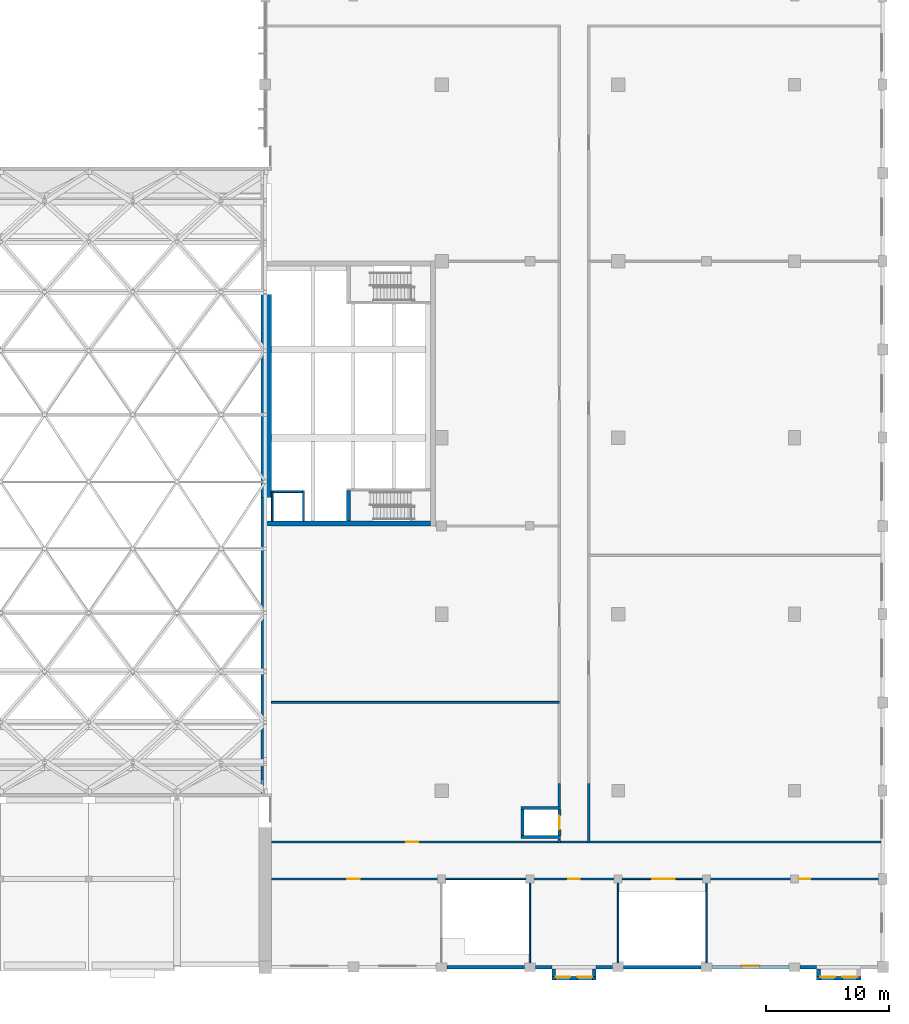
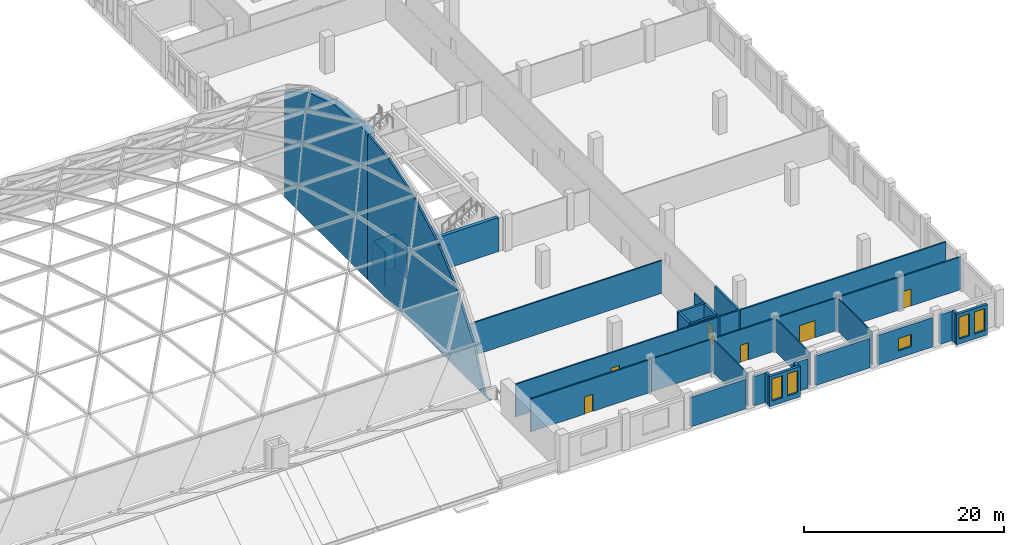
# One storey, part 34 of 52: 37 walls, 6 doors, 5 windows, 11 openings.
"""IFC4 building model written with IfcOpenShell, lengths in metres."""

from ifc_helpers import new_model, si_unit, direction, frame, frame_2d, origin, place, context, subcontext, project, spatial, polyline, rectangle, outline, extrude, material, layer, layer_set, type_object, element, fill, save


model = new_model("IFC4")

# Units and contexts
model_context = context("Model", 3, precision=1e-05, world=origin(), true_north=direction((0.0, 1.0)))
body_context = subcontext(model_context, "Body", "Model", "MODEL_VIEW")
ifc_project = project(units=[si_unit("LENGTHUNIT", "METRE"), si_unit("AREAUNIT", "SQUARE_METRE"), si_unit("VOLUMEUNIT", "CUBIC_METRE"), si_unit("PLANEANGLEUNIT", "RADIAN"), si_unit("MASSUNIT", "GRAM", prefix="KILO")], contexts=[model_context])

# Site, building, storey
site_placement = place(None, origin())
site = spatial("IfcSite", under=ifc_project, at=site_placement, CompositionType="ELEMENT")
building_placement = place(site_placement, origin())
building = spatial("IfcBuilding", under=site, at=building_placement, Name="Vermilion Court Aquatics Centre", CompositionType="ELEMENT")
storey_placement = place(building_placement, frame((0.0, 0.0, 12.0)))
storey = spatial("IfcBuildingStorey", under=building, at=storey_placement, Name="L02", CompositionType="ELEMENT", Elevation=12.0)

# Walls
ifc_material_1 = material(Name="Concrete 5000 psi", Category="concrete")
ifc_layer_1 = layer(ifc_material_1, 0.14990234375)
ifc_layer_set_1 = layer_set([ifc_layer_1], Name="Diving Tower lift shaft wall 150")
wall_type_1 = type_object("IfcWallType", Name="Diving Tower lift shaft wall 150", PredefinedType="PARTITIONING", material=ifc_layer_set_1)
for number, where, z_axis, x_axis, name in (
    (1, (144.574951171875, 36.39990234375, 0.0), (0.0, 0.0, 1.0), (0.0, 1.0, 0.0), "Diving Tower lift shaft wall west L02"),
    (2, (147.125, 36.39990234375, 0.0), (0.0, 0.0, 1.0), (0.0, 1.0, 0.0), "Diving Tower lift shaft wall front L02"),
):
    element("IfcWall", number, at=place(storey_placement, frame(where, z_axis=z_axis, x_axis=x_axis)), inside=storey, type_object=wall_type_1, Name=name, PredefinedType="PARTITIONING", context=body_context, shape_type="SweptSolid", body=[
        extrude(rectangle(XDim=2.47509765625, YDim=0.14990234375, at=frame_2d((1.237548828125, 0.0))), origin(), (0.0, 0.0, 1.0), 4.14990234375),
    ])
wall_1_placement = place(storey_placement, frame((144.64990234375, 38.800048828125, 0.0), z_axis=(0.0, 0.0, 1.0), x_axis=(1.0, 0.0, 0.0)))
element("IfcWall", 3, at=wall_1_placement, inside=storey, type_object=wall_type_1, Name="Diving Tower lift shaft wall north L02", PredefinedType="PARTITIONING", context=body_context, shape_type="SweptSolid", body=[
    extrude(rectangle(XDim=2.550048828125, YDim=0.14990234375, at=frame_2d((1.27490234375, 0.0))), origin(), (0.0, 0.0, 1.0), 4.14990234375),
])
ifc_material_2 = material(Name="Concrete 8000 psi", Category="concrete")
ifc_layer_2 = layer(ifc_material_2, 0.39990234375)
ifc_layer_set_2 = layer_set([ifc_layer_2], Name="Diving Tower shell wall 400")
wall_type_2 = type_object("IfcWallType", Name="Diving Tower shell wall 400", PredefinedType="SHEAR", material=ifc_layer_set_2)
wall_2_placement = place(storey_placement, frame((144.110107421875, 36.199951171875, 0.0), z_axis=(0.0, 0.0, 1.0), x_axis=(1.0, 0.0, 0.0)))
element("IfcWall", 4, at=wall_2_placement, inside=storey, type_object=wall_type_2, Name="Diving Tower shell wall south L02", PredefinedType="SHEAR", context=body_context, shape_type="SweptSolid", body=[
    extrude(rectangle(XDim=13.389892578125, YDim=0.39990234375, at=frame_2d((6.69482421875, 0.0))), origin(), (0.0, 0.0, 1.0), 4.14990234375),
])
ifc_material_3 = material(Name="Concrete 8000 psi", Category="concrete")
ifc_layer_3 = layer(ifc_material_3, 0.300048828125)
ifc_layer_set_3 = layer_set([ifc_layer_3], Name="Diving Tower stair wall 300")
wall_type_3 = type_object("IfcWallType", Name="Diving Tower stair wall 300", PredefinedType="SHEAR", material=ifc_layer_set_3)
wall_3_placement = place(storey_placement, frame((150.800048828125, 36.39990234375, 0.0), z_axis=(0.0, 0.0, 1.0), x_axis=(0.0, 1.0, 0.0)))
element("IfcWall", 5, at=wall_3_placement, inside=storey, type_object=wall_type_3, Name="Diving Tower stair 1 west wall L02", PredefinedType="SHEAR", context=body_context, shape_type="SweptSolid", body=[
    extrude(rectangle(XDim=2.47509765625, YDim=0.300048828125, at=frame_2d((1.237548828125, 0.0))), origin(), (0.0, 0.0, 1.0), 4.14990234375),
])
ifc_material_4 = material(Name="Brick masonry", Category="masonry")
ifc_layer_4 = layer(ifc_material_4, 0.219970703125)
ifc_layer_set_4 = layer_set([ifc_layer_4], Name="Envelope brick separation spandrel 220")
wall_type_4 = type_object("IfcWallType", Name="Envelope brick separation spandrel 220", PredefinedType="SOLIDWALL", material=ifc_layer_set_4)
wall_4_placement = place(storey_placement, frame((143.75, 13.89990234375, 0.0), z_axis=(0.0, 0.0, 1.0), x_axis=(0.0, 1.0, 0.0)))
element("IfcWall", 6, at=wall_4_placement, inside=storey, type_object=wall_type_4, Name="Gable spandrel east", PredefinedType="SOLIDWALL", context=body_context, shape_type="SweptSolid", body=[
    extrude(outline(polyline([(0.0, 0.0), (24.400146484375, 0.0), (24.39990234375, 17.7626953125), (20.22998046875, 17.32958984375), (20.22998046875, 17.31396484375), (15.0, 15.638916015625), (15.0, 15.60400390625), (10.219970703125, 12.887939453125), (10.219970703125, 12.823486328125), (6.10009765625, 9.1845703125), (6.10009765625, 8.898681640625), (2.81005859375, 4.485595703125), (2.81005859375, 4.16748046875), (0.91748046875, 0.080078125), (0.0, 0.080078125), (0.0, 0.0)])), frame((0.0, 0.10986328125, 0.0), z_axis=(0.0, -1.0, 0.0), x_axis=(1.0, 0.0, 0.0)), (0.0, 0.0, 1.0), 0.219970703125),
])
ifc_material_5 = material(Name="Concrete 5000 psi", Category="concrete")
ifc_layer_5 = layer(ifc_material_5, 0.860107421875)
ifc_layer_set_5 = layer_set([ifc_layer_5], Name="Envelope gable deep spandrel 860")
wall_type_5 = type_object("IfcWallType", Name="Envelope gable deep spandrel 860", PredefinedType="SOLIDWALL", material=ifc_layer_set_5)
wall_5_placement = place(storey_placement, frame((144.070068359375, 38.300048828125, 0.0), z_axis=(0.0, 0.0, 1.0), x_axis=(0.0, 1.0, 0.0)))
element("IfcWall", 7, at=wall_5_placement, inside=storey, type_object=wall_type_5, Name="Gable deep spandrel east", PredefinedType="SOLIDWALL", context=body_context, shape_type="SweptSolid", body=[
    extrude(outline(polyline([(0.0, 0.0), (16.599853515625, 0.0), (16.60009765625, 12.990234375), (12.0, 15.60400390625), (12.0, 15.638916015625), (6.77001953125, 17.31396484375), (6.77001953125, 17.32958984375), (1.300048828125, 17.897705078125), (1.300048828125, 17.897705078125), (0.0, 17.7626953125), (0.0, 0.0)])), frame((0.0, 0.43017578125, 0.0), z_axis=(0.0, -1.0, 0.0), x_axis=(1.0, 0.0, 0.0)), (0.0, 0.0, 1.0), 0.860107421875),
])

# Wall, opening, door
ifc_material_6 = material(Name="Concrete masonry ASTM C90 Type I", Category="masonry")
ifc_layer_6 = layer(ifc_material_6, 0.175048828125)
ifc_layer_set_6 = layer_set([ifc_layer_6], Name="Podium corridor wall 175, 1 hr")
wall_type_6 = type_object("IfcWallType", Name="Podium corridor wall 175, 1 hr", PredefinedType="PARTITIONING", material=ifc_layer_set_6)
wall_6_placement = place(storey_placement, frame((144.5, 7.199951171875, 0.0), z_axis=(0.0, 0.0, 1.0), x_axis=(1.0, 0.0, 0.0)))
wall_6 = element("IfcWall", 8, at=wall_6_placement, inside=storey, type_object=wall_type_6, Name="Corridor wall", PredefinedType="PARTITIONING", context=body_context, shape_type="SweptSolid", body=[
    extrude(rectangle(XDim=13.96240234375, YDim=0.175048828125, at=frame_2d((6.981201171875, 0.0))), origin(), (0.0, 0.0, 1.0), 4.0),
])
opening_1_placement = place(wall_6_placement, frame((6.199951171875, 0.0, 0.0)))
opening_1 = element("IfcOpeningElement", 9, at=opening_1_placement, cuts=wall_6, Name="Opening P02-001", PredefinedType="OPENING", context=body_context, shape_type="SweptSolid", body=[
    extrude(rectangle(XDim=1.0, YDim=2.10009765625, at=frame_2d((0.5, 1.050048828125))), frame((0.0, 0.097412109375, 0.0), z_axis=(0.0, -1.0, 0.0), x_axis=(1.0, 0.0, 0.0)), (0.0, 0.0, 1.0), 0.195068359375),
])
ifc_material_7 = material(Name="Hollow metal")
door_type_1 = type_object("IfcDoorType", Name="Podium fire door leaf 1000x2100, 60 min", OperationType="NOTDEFINED", PredefinedType="DOOR", material=ifc_material_7)
door_1_placement = place(opening_1_placement, frame((1.0, 0.0, 0.0), z_axis=(0.0, 0.0, 1.0), x_axis=(-1.0, 0.0, 0.0)))
door_1 = element("IfcDoor", 10, at=door_1_placement, inside=storey, type_object=door_type_1, Name="Door", OperationType="SINGLE_SWING_RIGHT", OverallHeight=2.10009765625, OverallWidth=1.0, PredefinedType="DOOR", context=body_context, shape_type="SweptSolid", body=[
    extrude(rectangle(XDim=1.0, YDim=2.10009765625, at=frame_2d((0.5, 1.050048828125))), frame((0.0, 0.025146484375, 0.0), z_axis=(0.0, -1.0, 0.0), x_axis=(1.0, 0.0, 0.0)), (0.0, 0.0, 1.0), 0.050048828125),
])
fill(opening_1, door_1)

wall_7_placement = place(storey_placement, frame((165.66259765625, 7.199951171875, 0.0), z_axis=(0.0, 0.0, 1.0), x_axis=(1.0, 0.0, 0.0)))
wall_7 = element("IfcWall", 11, at=wall_7_placement, inside=storey, type_object=wall_type_6, Name="Corridor wall", PredefinedType="PARTITIONING", context=body_context, shape_type="SweptSolid", body=[
    extrude(rectangle(XDim=7.074951171875, YDim=0.175048828125, at=frame_2d((3.53759765625, 0.0))), origin(), (0.0, 0.0, 1.0), 4.0),
])
opening_2_placement = place(wall_7_placement, frame((3.0625, 0.0, 0.0)))
opening_2 = element("IfcOpeningElement", 12, at=opening_2_placement, cuts=wall_7, Name="Opening P02-003", PredefinedType="OPENING", context=body_context, shape_type="SweptSolid", body=[
    extrude(rectangle(XDim=0.949951171875, YDim=2.10009765625, at=frame_2d((0.47509765625, 1.050048828125))), frame((0.0, 0.097412109375, 0.0), z_axis=(0.0, -1.0, 0.0), x_axis=(1.0, 0.0, 0.0)), (0.0, 0.0, 1.0), 0.195068359375),
])
ifc_material_8 = material(Name="Hollow metal")
door_type_2 = type_object("IfcDoorType", Name="Podium fire door treatment room 950x2100, 60 min", OperationType="NOTDEFINED", PredefinedType="DOOR", material=ifc_material_8)
door_2_placement = place(opening_2_placement, frame((0.949951171875, 0.0, 0.0), z_axis=(0.0, 0.0, 1.0), x_axis=(-1.0, 0.0, 0.0)))
door_2 = element("IfcDoor", 13, at=door_2_placement, inside=storey, type_object=door_type_2, Name="Door", OperationType="SINGLE_SWING_RIGHT", OverallHeight=2.10009765625, OverallWidth=0.949951171875, PredefinedType="DOOR", context=body_context, shape_type="SweptSolid", body=[
    extrude(rectangle(XDim=0.949951171875, YDim=2.10009765625, at=frame_2d((0.474853515625, 1.050048828125))), frame((0.0, 0.025146484375, 0.0), z_axis=(0.0, -1.0, 0.0), x_axis=(1.0, 0.0, 0.0)), (0.0, 0.0, 1.0), 0.050048828125),
])
fill(opening_2, door_2)

wall_8_placement = place(storey_placement, frame((180.0625, 7.199951171875, 0.0), z_axis=(0.0, 0.0, 1.0), x_axis=(1.0, 0.0, 0.0)))
wall_8 = element("IfcWall", 14, at=wall_8_placement, inside=storey, type_object=wall_type_6, Name="Corridor wall", PredefinedType="PARTITIONING", context=body_context, shape_type="SweptSolid", body=[
    extrude(rectangle(XDim=14.1875, YDim=0.175048828125, at=frame_2d((7.09375, 0.0))), origin(), (0.0, 0.0, 1.0), 4.0),
])
opening_3_placement = place(wall_8_placement, frame((7.46240234375, 0.0, 0.0)))
opening_3 = element("IfcOpeningElement", 15, at=opening_3_placement, cuts=wall_8, Name="Opening P02-005", PredefinedType="OPENING", context=body_context, shape_type="SweptSolid", body=[
    extrude(rectangle(XDim=0.949951171875, YDim=2.10009765625, at=frame_2d((0.47509765625, 1.050048828125))), frame((0.0, 0.097412109375, 0.0), z_axis=(0.0, -1.0, 0.0), x_axis=(1.0, 0.0, 0.0)), (0.0, 0.0, 1.0), 0.195068359375),
])
door_3_placement = place(opening_3_placement, frame((0.949951171875, 0.0, 0.0), z_axis=(0.0, 0.0, 1.0), x_axis=(-1.0, 0.0, 0.0)))
door_3 = element("IfcDoor", 16, at=door_3_placement, inside=storey, type_object=door_type_2, Name="Door", OperationType="SINGLE_SWING_LEFT", OverallHeight=2.10009765625, OverallWidth=0.949951171875, PredefinedType="DOOR", context=body_context, shape_type="SweptSolid", body=[
    extrude(rectangle(XDim=0.949951171875, YDim=2.10009765625, at=frame_2d((0.474853515625, 1.050048828125))), frame((0.0, 0.025146484375, 0.0), z_axis=(0.0, -1.0, 0.0), x_axis=(1.0, 0.0, 0.0)), (0.0, 0.0, 1.0), 0.050048828125),
])
fill(opening_3, door_3)

wall_9_placement = place(storey_placement, frame((144.5, 10.199951171875, 0.0), z_axis=(0.0, 0.0, 1.0), x_axis=(1.0, 0.0, 0.0)))
wall_9 = element("IfcWall", 17, at=wall_9_placement, inside=storey, type_object=wall_type_6, Name="Corridor wall", PredefinedType="PARTITIONING", context=body_context, shape_type="SweptSolid", body=[
    extrude(rectangle(XDim=23.39990234375, YDim=0.175048828125, at=frame_2d((11.699951171875, 0.0))), origin(), (0.0, 0.0, 1.0), 4.0),
])
opening_4_placement = place(wall_9_placement, frame((11.0, 0.0, 0.0)))
opening_4 = element("IfcOpeningElement", 18, at=opening_4_placement, cuts=wall_9, Name="Opening P02-006", PredefinedType="OPENING", context=body_context, shape_type="SweptSolid", body=[
    extrude(rectangle(XDim=1.0, YDim=2.10009765625, at=frame_2d((0.5, 1.050048828125))), frame((0.0, 0.097412109375, 0.0), z_axis=(0.0, -1.0, 0.0), x_axis=(1.0, 0.0, 0.0)), (0.0, 0.0, 1.0), 0.195068359375),
])
door_4_placement = place(opening_4_placement, frame((1.0, 0.0, 0.0), z_axis=(0.0, 0.0, 1.0), x_axis=(-1.0, 0.0, 0.0)))
door_4 = element("IfcDoor", 19, at=door_4_placement, inside=storey, type_object=door_type_1, Name="Door", OperationType="SINGLE_SWING_LEFT", OverallHeight=2.10009765625, OverallWidth=1.0, PredefinedType="DOOR", context=body_context, shape_type="SweptSolid", body=[
    extrude(rectangle(XDim=1.0, YDim=2.10009765625, at=frame_2d((0.5, 1.050048828125))), frame((0.0, 0.025146484375, 0.0), z_axis=(0.0, -1.0, 0.0), x_axis=(1.0, 0.0, 0.0)), (0.0, 0.0, 1.0), 0.050048828125),
])
fill(opening_4, door_4)

# Walls
wall_10_placement = place(storey_placement, frame((168.10009765625, 10.199951171875, 0.0), z_axis=(0.0, 0.0, 1.0), x_axis=(1.0, 0.0, 0.0)))
element("IfcWall", 20, at=wall_10_placement, inside=storey, type_object=wall_type_6, Name="Corridor wall", PredefinedType="PARTITIONING", context=body_context, shape_type="SweptSolid", body=[
    extrude(rectangle(XDim=2.199951171875, YDim=0.175048828125, at=frame_2d((1.10009765625, 0.0))), origin(), (0.0, 0.0, 1.0), 4.0),
])
wall_11_placement = place(storey_placement, frame((170.5, 10.199951171875, 0.0), z_axis=(0.0, 0.0, 1.0), x_axis=(1.0, 0.0, 0.0)))
element("IfcWall", 21, at=wall_11_placement, inside=storey, type_object=wall_type_6, Name="Corridor wall", PredefinedType="PARTITIONING", context=body_context, shape_type="SweptSolid", body=[
    extrude(rectangle(XDim=23.75, YDim=0.175048828125, at=frame_2d((11.875, 0.0))), origin(), (0.0, 0.0, 1.0), 4.0),
])
ifc_material_9 = material(Name="Brick masonry", Category="masonry")
ifc_layer_7 = layer(ifc_material_9, 0.300048828125)
ifc_layer_set_7 = layer_set([ifc_layer_7], Name="Podium facade brick wall 300")
wall_type_7 = type_object("IfcWallType", Name="Podium facade brick wall 300", PredefinedType="SOLIDWALL", material=ifc_layer_set_7)
wall_12_placement = place(storey_placement, frame((158.85009765625, 0.0, 0.0), z_axis=(0.0, 0.0, 1.0), x_axis=(1.0, 0.0, 0.0)))
element("IfcWall", 22, at=wall_12_placement, inside=storey, type_object=wall_type_7, Name="Facade wall L02", PredefinedType="SOLIDWALL", context=body_context, shape_type="SweptSolid", body=[
    extrude(rectangle(XDim=6.2998046875, YDim=0.300048828125, at=frame_2d((3.14990234375, 0.0))), origin(), (0.0, 0.0, 1.0), 3.60009765625),
])
wall_13_placement = place(storey_placement, frame((166.050048828125, 0.0, 0.0), z_axis=(0.0, 0.0, 1.0), x_axis=(1.0, 0.0, 0.0)))
element("IfcWall", 23, at=wall_13_placement, inside=storey, type_object=wall_type_7, Name="Facade wall L02", PredefinedType="SOLIDWALL", context=body_context, shape_type="SweptSolid", body=[
    extrude(rectangle(XDim=1.349853515625, YDim=0.300048828125, at=frame_2d((0.6748046875, 0.0))), origin(), (0.0, 0.0, 1.0), 3.60009765625),
])
wall_14_placement = place(storey_placement, frame((171.0, 0.0, 0.0), z_axis=(0.0, 0.0, 1.0), x_axis=(1.0, 0.0, 0.0)))
element("IfcWall", 24, at=wall_14_placement, inside=storey, type_object=wall_type_7, Name="Facade wall L02", PredefinedType="SOLIDWALL", context=body_context, shape_type="SweptSolid", body=[
    extrude(rectangle(XDim=1.35009765625, YDim=0.300048828125, at=frame_2d((0.675048828125, 0.0))), origin(), (0.0, 0.0, 1.0), 3.60009765625),
])
wall_15_placement = place(storey_placement, frame((173.25, 0.0, 0.0), z_axis=(0.0, 0.0, 1.0), x_axis=(1.0, 0.0, 0.0)))
element("IfcWall", 25, at=wall_15_placement, inside=storey, type_object=wall_type_7, Name="Facade wall L02", PredefinedType="SOLIDWALL", context=body_context, shape_type="SweptSolid", body=[
    extrude(rectangle(XDim=6.300048828125, YDim=0.300048828125, at=frame_2d((3.14990234375, 0.0))), origin(), (0.0, 0.0, 1.0), 3.60009765625),
])

# Wall, opening, window
wall_16_placement = place(storey_placement, frame((180.449951171875, 0.0, 0.0), z_axis=(0.0, 0.0, 1.0), x_axis=(1.0, 0.0, 0.0)))
wall_16 = element("IfcWall", 26, at=wall_16_placement, inside=storey, type_object=wall_type_7, Name="Facade wall L02", PredefinedType="SOLIDWALL", context=body_context, shape_type="SweptSolid", body=[
    extrude(rectangle(XDim=6.300048828125, YDim=0.300048828125, at=frame_2d((3.14990234375, 0.0))), origin(), (0.0, 0.0, 1.0), 3.60009765625),
])
opening_5_placement = place(wall_16_placement, frame((2.39990234375, 0.0, 0.89990234375)))
opening_5 = element("IfcOpeningElement", 27, at=opening_5_placement, cuts=wall_16, Name="Opening PN6", PredefinedType="OPENING", context=body_context, shape_type="SweptSolid", body=[
    extrude(rectangle(XDim=1.5, YDim=1.5, at=frame_2d((0.75, 0.75))), frame((0.0, 0.159912109375, 0.0), z_axis=(0.0, -1.0, 0.0), x_axis=(1.0, 0.0, 0.0)), (0.0, 0.0, 1.0), 0.320068359375),
])
ifc_material_10 = material(Name="Aluminium 6063-T5", Category="aluminium")
window_type_1 = type_object("IfcWindowType", Name="Podium window 1500x1500", PartitioningType="SINGLE_PANEL", PredefinedType="WINDOW", material=ifc_material_10)
window_1_placement = place(opening_5_placement, origin())
window_1 = element("IfcWindow", 28, at=window_1_placement, inside=storey, type_object=window_type_1, Name="Window L02", OverallHeight=1.5, OverallWidth=1.5, PartitioningType="SINGLE_PANEL", PredefinedType="WINDOW", context=body_context, shape_type="SweptSolid", body=[
    extrude(rectangle(XDim=1.5, YDim=1.5, at=frame_2d((0.75, 0.75))), frame((0.0, 0.1201171875, 0.0), z_axis=(0.0, -1.0, 0.0), x_axis=(1.0, 0.0, 0.0)), (0.0, 0.0, 1.0), 0.06005859375),
])
fill(opening_5, window_1)

# Walls
wall_17_placement = place(storey_placement, frame((187.64990234375, 0.0, 0.0), z_axis=(0.0, 0.0, 1.0), x_axis=(1.0, 0.0, 0.0)))
element("IfcWall", 29, at=wall_17_placement, inside=storey, type_object=wall_type_7, Name="Facade wall L02", PredefinedType="SOLIDWALL", context=body_context, shape_type="SweptSolid", body=[
    extrude(rectangle(XDim=1.35009765625, YDim=0.300048828125, at=frame_2d((0.675048828125, 0.0))), origin(), (0.0, 0.0, 1.0), 3.60009765625),
])
ifc_material_11 = material(Name="Concrete masonry ASTM C90 Type I", Category="masonry")
ifc_layer_8 = layer(ifc_material_11, 0.199951171875)
ifc_layer_set_8 = layer_set([ifc_layer_8], Name="Podium fire-rated partition 200, 1 hr")
wall_type_8 = type_object("IfcWallType", Name="Podium fire-rated partition 200, 1 hr", PredefinedType="PARTITIONING", material=ifc_layer_set_8)
wall_18_placement = place(storey_placement, frame((168.0, 10.112548828125, 0.0), z_axis=(0.0, 0.0, 1.0), x_axis=(0.0, 1.0, 0.0)))
element("IfcWall", 30, at=wall_18_placement, inside=storey, type_object=wall_type_8, Name="Fire-rated partition", PredefinedType="PARTITIONING", context=body_context, shape_type="SweptSolid", body=[
    extrude(rectangle(XDim=0.362548828125, YDim=0.199951171875, at=frame_2d((0.18115234375, 0.0))), origin(), (0.0, 0.0, 1.0), 4.0),
])
wall_19_placement = place(storey_placement, frame((168.0, 13.125, 0.0), z_axis=(0.0, 0.0, 1.0), x_axis=(0.0, 1.0, 0.0)))
element("IfcWall", 31, at=wall_19_placement, inside=storey, type_object=wall_type_8, Name="Fire-rated partition", PredefinedType="PARTITIONING", context=body_context, shape_type="SweptSolid", body=[
    extrude(rectangle(XDim=1.875, YDim=0.199951171875, at=frame_2d((0.9375, 0.0))), origin(), (0.0, 0.0, 1.0), 4.0),
])
wall_20_placement = place(storey_placement, frame((170.39990234375, 10.112548828125, 0.0), z_axis=(0.0, 0.0, 1.0), x_axis=(0.0, 1.0, 0.0)))
element("IfcWall", 32, at=wall_20_placement, inside=storey, type_object=wall_type_8, Name="Fire-rated partition", PredefinedType="PARTITIONING", context=body_context, shape_type="SweptSolid", body=[
    extrude(rectangle(XDim=4.887451171875, YDim=0.199951171875, at=frame_2d((2.44384765625, 0.0))), origin(), (0.0, 0.0, 1.0), 4.0),
])
ifc_material_12 = material(Name="Concrete 5000 psi", Category="concrete")
ifc_layer_9 = layer(ifc_material_12, 0.25)
ifc_layer_set_9 = layer_set([ifc_layer_9], Name="Podium lift shaft wall 250, 2 hr")
wall_type_9 = type_object("IfcWallType", Name="Podium lift shaft wall 250, 2 hr", PredefinedType="SOLIDWALL", material=ifc_layer_set_9)
wall_21_placement = place(storey_placement, frame((164.875, 13.0, 0.0), z_axis=(0.0, 0.0, 1.0), x_axis=(1.0, 0.0, 0.0)))
element("IfcWall", 33, at=wall_21_placement, inside=storey, type_object=wall_type_9, Name="Lift shaft wall", PredefinedType="SOLIDWALL", context=body_context, shape_type="SweptSolid", body=[
    extrude(rectangle(XDim=3.22509765625, YDim=0.25, at=frame_2d((1.612548828125, 0.0))), origin(), (0.0, 0.0, 1.0), 4.0),
])
wall_22_placement = place(storey_placement, frame((165.0, 10.72509765625, 0.0), z_axis=(0.0, 0.0, 1.0), x_axis=(0.0, 1.0, 0.0)))
element("IfcWall", 34, at=wall_22_placement, inside=storey, type_object=wall_type_9, Name="Lift shaft wall", PredefinedType="SOLIDWALL", context=body_context, shape_type="SweptSolid", body=[
    extrude(rectangle(XDim=2.14990234375, YDim=0.25, at=frame_2d((1.074951171875, 0.0))), origin(), (0.0, 0.0, 1.0), 4.0),
])
wall_23_placement = place(storey_placement, frame((164.875, 10.60009765625, 0.0), z_axis=(0.0, 0.0, 1.0), x_axis=(1.0, 0.0, 0.0)))
element("IfcWall", 35, at=wall_23_placement, inside=storey, type_object=wall_type_9, Name="Lift shaft wall", PredefinedType="SOLIDWALL", context=body_context, shape_type="SweptSolid", body=[
    extrude(rectangle(XDim=3.22509765625, YDim=0.25, at=frame_2d((1.612548828125, 0.0))), origin(), (0.0, 0.0, 1.0), 4.0),
])

# Wall, opening, door
wall_24_placement = place(storey_placement, frame((168.0, 10.72509765625, 0.0), z_axis=(0.0, 0.0, 1.0), x_axis=(0.0, 1.0, 0.0)))
wall_24 = element("IfcWall", 36, at=wall_24_placement, inside=storey, type_object=wall_type_9, Name="Lift shaft wall", PredefinedType="SOLIDWALL", context=body_context, shape_type="SweptSolid", body=[
    extrude(rectangle(XDim=2.14990234375, YDim=0.25, at=frame_2d((1.074951171875, 0.0))), origin(), (0.0, 0.0, 1.0), 4.0),
])
opening_6_placement = place(wall_24_placement, frame((0.52490234375, 0.0, 0.0)))
opening_6 = element("IfcOpeningElement", 37, at=opening_6_placement, cuts=wall_24, Name="Opening LD02-001", PredefinedType="OPENING", context=body_context, shape_type="SweptSolid", body=[
    extrude(rectangle(XDim=1.10009765625, YDim=2.10009765625, at=frame_2d((0.550048828125, 1.050048828125))), frame((0.0, 0.135009765625, 0.0), z_axis=(0.0, -1.0, 0.0), x_axis=(1.0, 0.0, 0.0)), (0.0, 0.0, 1.0), 0.27001953125),
])
ifc_material_13 = material(Name="Hollow metal")
door_type_3 = type_object("IfcDoorType", Name="Podium lift landing door 1100x2100", OperationType="DOUBLE_DOOR_SLIDING", PredefinedType="DOOR", material=ifc_material_13)
door_5_placement = place(opening_6_placement, origin())
door_5 = element("IfcDoor", 38, at=door_5_placement, inside=storey, type_object=door_type_3, Name="Lift landing door", OperationType="DOUBLE_DOOR_SLIDING", OverallHeight=2.10009765625, OverallWidth=1.10009765625, PredefinedType="DOOR", context=body_context, shape_type="SweptSolid", body=[
    extrude(rectangle(XDim=1.10009765625, YDim=2.10009765625, at=frame_2d((0.550048828125, 1.050048828125))), frame((0.0, 0.02490234375, 0.0), z_axis=(0.0, -1.0, 0.0), x_axis=(1.0, 0.0, 0.0)), (0.0, 0.0, 1.0), 0.050048828125),
])
fill(opening_6, door_5)

# Wall
ifc_material_14 = material(Name="Gypsum board")
ifc_layer_10 = layer(ifc_material_14, 0.14990234375)
ifc_layer_set_10 = layer_set([ifc_layer_10], Name="Podium partition wall 150")
wall_type_10 = type_object("IfcWallType", Name="Podium partition wall 150", PredefinedType="PARTITIONING", material=ifc_layer_set_10)
wall_25_placement = place(storey_placement, frame((144.5, 21.60009765625, 0.0), z_axis=(0.0, 0.0, 1.0), x_axis=(1.0, 0.0, 0.0)))
element("IfcWall", 39, at=wall_25_placement, inside=storey, type_object=wall_type_10, Name="Partition", PredefinedType="PARTITIONING", context=body_context, shape_type="SweptSolid", body=[
    extrude(rectangle(XDim=23.5, YDim=0.14990234375, at=frame_2d((11.75, 0.0))), origin(), (0.0, 0.0, 1.0), 4.0),
])

# Wall, openings, windows
ifc_material_15 = material(Name="Brick masonry", Category="masonry")
ifc_layer_11 = layer(ifc_material_15, 0.300048828125)
ifc_layer_set_11 = layer_set([ifc_layer_11], Name="Podium projecting bay wall 300")
wall_type_11 = type_object("IfcWallType", Name="Podium projecting bay wall 300", PredefinedType="SOLIDWALL", material=ifc_layer_set_11)
wall_26_placement = place(storey_placement, frame((167.39990234375, -0.89990234375, 0.0), z_axis=(0.0, 0.0, 1.0), x_axis=(1.0, 0.0, 0.0)))
wall_26 = element("IfcWall", 40, at=wall_26_placement, inside=storey, type_object=wall_type_11, Name="Projecting bay front wall L02", PredefinedType="SOLIDWALL", context=body_context, shape_type="SweptSolid", body=[
    extrude(rectangle(XDim=3.60009765625, YDim=0.300048828125, at=frame_2d((1.800048828125, 0.0))), origin(), (0.0, 0.0, 1.0), 3.699951171875),
])
opening_7_placement = place(wall_26_placement, frame((0.300048828125, 0.0, 0.60009765625)))
opening_7 = element("IfcOpeningElement", 41, at=opening_7_placement, cuts=wall_26, Name="Opening PN9", PredefinedType="OPENING", context=body_context, shape_type="SweptSolid", body=[
    extrude(rectangle(XDim=1.199951171875, YDim=2.699951171875, at=frame_2d((0.60009765625, 1.35009765625))), frame((0.0, 0.159912109375, 0.0), z_axis=(0.0, -1.0, 0.0), x_axis=(1.0, 0.0, 0.0)), (0.0, 0.0, 1.0), 0.320068359375),
])
opening_8_placement = place(wall_26_placement, frame((2.10009765625, 0.0, 0.60009765625)))
opening_8 = element("IfcOpeningElement", 42, at=opening_8_placement, cuts=wall_26, Name="Opening PN9", PredefinedType="OPENING", context=body_context, shape_type="SweptSolid", body=[
    extrude(rectangle(XDim=1.199951171875, YDim=2.699951171875, at=frame_2d((0.60009765625, 1.35009765625))), frame((0.0, 0.159912109375, 0.0), z_axis=(0.0, -1.0, 0.0), x_axis=(1.0, 0.0, 0.0)), (0.0, 0.0, 1.0), 0.320068359375),
])
ifc_material_16 = material(Name="Aluminium 6063-T5", Category="aluminium")
window_type_2 = type_object("IfcWindowType", Name="Podium window 1200x2700", PartitioningType="SINGLE_PANEL", PredefinedType="WINDOW", material=ifc_material_16)
window_2_placement = place(opening_7_placement, origin())
window_2 = element("IfcWindow", 43, at=window_2_placement, inside=storey, type_object=window_type_2, Name="Bay window L02", OverallHeight=2.699951171875, OverallWidth=1.199951171875, PartitioningType="SINGLE_PANEL", PredefinedType="WINDOW", context=body_context, shape_type="SweptSolid", body=[
    extrude(rectangle(XDim=1.199951171875, YDim=2.699951171875, at=frame_2d((0.60009765625, 1.35009765625))), frame((0.0, 0.1201171875, 0.0), z_axis=(0.0, -1.0, 0.0), x_axis=(1.0, 0.0, 0.0)), (0.0, 0.0, 1.0), 0.06005859375),
])
fill(opening_7, window_2)
window_3_placement = place(opening_8_placement, origin())
window_3 = element("IfcWindow", 44, at=window_3_placement, inside=storey, type_object=window_type_2, Name="Bay window L02", OverallHeight=2.699951171875, OverallWidth=1.199951171875, PartitioningType="SINGLE_PANEL", PredefinedType="WINDOW", context=body_context, shape_type="SweptSolid", body=[
    extrude(rectangle(XDim=1.199951171875, YDim=2.699951171875, at=frame_2d((0.60009765625, 1.35009765625))), frame((0.0, 0.1201171875, 0.0), z_axis=(0.0, -1.0, 0.0), x_axis=(1.0, 0.0, 0.0)), (0.0, 0.0, 1.0), 0.06005859375),
])
fill(opening_8, window_3)

# Walls
for number, where, z_axis, x_axis, name in (
    (45, (167.550048828125, -0.75, 0.0), (0.0, 0.0, 1.0), (0.0, 1.0, 0.0), "Projecting bay side wall L02"),
    (46, (170.85009765625, -0.75, 0.0), (0.0, 0.0, 1.0), (0.0, 1.0, 0.0), "Projecting bay side wall L02"),
):
    element("IfcWall", number, at=place(storey_placement, frame(where, z_axis=z_axis, x_axis=x_axis)), inside=storey, type_object=wall_type_11, Name=name, PredefinedType="SOLIDWALL", context=body_context, shape_type="SweptSolid", body=[
        extrude(rectangle(XDim=0.60009765625, YDim=0.300048828125, at=frame_2d((0.300048828125, 0.0))), origin(), (0.0, 0.0, 1.0), 3.699951171875),
    ])

# Wall, openings, windows
wall_27_placement = place(storey_placement, frame((189.0, -0.89990234375, 0.0), z_axis=(0.0, 0.0, 1.0), x_axis=(1.0, 0.0, 0.0)))
wall_27 = element("IfcWall", 47, at=wall_27_placement, inside=storey, type_object=wall_type_11, Name="Projecting bay front wall L02", PredefinedType="SOLIDWALL", context=body_context, shape_type="SweptSolid", body=[
    extrude(rectangle(XDim=3.60009765625, YDim=0.300048828125, at=frame_2d((1.800048828125, 0.0))), origin(), (0.0, 0.0, 1.0), 3.699951171875),
])
opening_9_placement = place(wall_27_placement, frame((0.300048828125, 0.0, 0.60009765625)))
opening_9 = element("IfcOpeningElement", 48, at=opening_9_placement, cuts=wall_27, Name="Opening PN9", PredefinedType="OPENING", context=body_context, shape_type="SweptSolid", body=[
    extrude(rectangle(XDim=1.199951171875, YDim=2.699951171875, at=frame_2d((0.60009765625, 1.35009765625))), frame((0.0, 0.159912109375, 0.0), z_axis=(0.0, -1.0, 0.0), x_axis=(1.0, 0.0, 0.0)), (0.0, 0.0, 1.0), 0.320068359375),
])
opening_10_placement = place(wall_27_placement, frame((2.10009765625, 0.0, 0.60009765625)))
opening_10 = element("IfcOpeningElement", 49, at=opening_10_placement, cuts=wall_27, Name="Opening PN9", PredefinedType="OPENING", context=body_context, shape_type="SweptSolid", body=[
    extrude(rectangle(XDim=1.199951171875, YDim=2.699951171875, at=frame_2d((0.60009765625, 1.35009765625))), frame((0.0, 0.159912109375, 0.0), z_axis=(0.0, -1.0, 0.0), x_axis=(1.0, 0.0, 0.0)), (0.0, 0.0, 1.0), 0.320068359375),
])
window_4_placement = place(opening_9_placement, origin())
window_4 = element("IfcWindow", 50, at=window_4_placement, inside=storey, type_object=window_type_2, Name="Bay window L02", OverallHeight=2.699951171875, OverallWidth=1.199951171875, PartitioningType="SINGLE_PANEL", PredefinedType="WINDOW", context=body_context, shape_type="SweptSolid", body=[
    extrude(rectangle(XDim=1.199951171875, YDim=2.699951171875, at=frame_2d((0.60009765625, 1.35009765625))), frame((0.0, 0.1201171875, 0.0), z_axis=(0.0, -1.0, 0.0), x_axis=(1.0, 0.0, 0.0)), (0.0, 0.0, 1.0), 0.06005859375),
])
fill(opening_9, window_4)
window_5_placement = place(opening_10_placement, origin())
window_5 = element("IfcWindow", 51, at=window_5_placement, inside=storey, type_object=window_type_2, Name="Bay window L02", OverallHeight=2.699951171875, OverallWidth=1.199951171875, PartitioningType="SINGLE_PANEL", PredefinedType="WINDOW", context=body_context, shape_type="SweptSolid", body=[
    extrude(rectangle(XDim=1.199951171875, YDim=2.699951171875, at=frame_2d((0.60009765625, 1.35009765625))), frame((0.0, 0.1201171875, 0.0), z_axis=(0.0, -1.0, 0.0), x_axis=(1.0, 0.0, 0.0)), (0.0, 0.0, 1.0), 0.06005859375),
])
fill(opening_10, window_5)

# Walls
wall_28_placement = place(storey_placement, frame((189.14990234375, -0.75, 0.0), z_axis=(0.0, 0.0, 1.0), x_axis=(0.0, 1.0, 0.0)))
element("IfcWall", 52, at=wall_28_placement, inside=storey, type_object=wall_type_11, Name="Projecting bay side wall L02", PredefinedType="SOLIDWALL", context=body_context, shape_type="SweptSolid", body=[
    extrude(rectangle(XDim=0.60009765625, YDim=0.300048828125, at=frame_2d((0.300048828125, 0.0))), origin(), (0.0, 0.0, 1.0), 3.699951171875),
])
ifc_material_17 = material(Name="Concrete 5000 psi", Category="concrete")
ifc_layer_12 = layer(ifc_material_17, 0.125)
ifc_layer_set_12 = layer_set([ifc_layer_12], Name="Podium stair enclosure wall 125, 2 hr")
wall_type_12 = type_object("IfcWallType", Name="Podium stair enclosure wall 125, 2 hr", PredefinedType="SOLIDWALL", material=ifc_layer_set_12)
wall_29_placement = place(storey_placement, frame((158.46240234375, 7.199951171875, 0.0), z_axis=(0.0, 0.0, 1.0), x_axis=(1.0, 0.0, 0.0)))
element("IfcWall", 53, at=wall_29_placement, inside=storey, type_object=wall_type_12, Name="Stair enclosure wall", PredefinedType="SOLIDWALL", context=body_context, shape_type="SweptSolid", body=[
    extrude(rectangle(XDim=7.0751953125, YDim=0.125, at=frame_2d((3.53759765625, 0.0))), origin(), (0.0, 0.0, 1.0), 4.0),
])

# Wall, opening, door
wall_30_placement = place(storey_placement, frame((172.862548828125, 7.199951171875, 0.0), z_axis=(0.0, 0.0, 1.0), x_axis=(1.0, 0.0, 0.0)))
wall_30 = element("IfcWall", 54, at=wall_30_placement, inside=storey, type_object=wall_type_12, Name="Stair enclosure wall", PredefinedType="SOLIDWALL", context=body_context, shape_type="SweptSolid", body=[
    extrude(rectangle(XDim=7.074951171875, YDim=0.125, at=frame_2d((3.53759765625, 0.0))), origin(), (0.0, 0.0, 1.0), 4.0),
])
opening_11_placement = place(wall_30_placement, frame((2.740478515625, 0.0, 0.0)))
opening_11 = element("IfcOpeningElement", 55, at=opening_11_placement, cuts=wall_30, Name="Opening P02-004", PredefinedType="OPENING", context=body_context, shape_type="SweptSolid", body=[
    extrude(rectangle(XDim=1.800048828125, YDim=2.10009765625, at=frame_2d((0.89990234375, 1.050048828125))), frame((0.0, 0.072509765625, 0.0), z_axis=(0.0, -1.0, 0.0), x_axis=(1.0, 0.0, 0.0)), (0.0, 0.0, 1.0), 0.14501953125),
])
ifc_material_18 = material(Name="Hollow metal")
door_type_4 = type_object("IfcDoorType", Name="Podium fire door stair pair 1800x2100, 90 min", OperationType="DOUBLE_DOOR_SINGLE_SWING", PredefinedType="DOOR", material=ifc_material_18)
door_6_placement = place(opening_11_placement, frame((1.800048828125, 0.0, 0.0), z_axis=(0.0, 0.0, 1.0), x_axis=(-1.0, 0.0, 0.0)))
door_6 = element("IfcDoor", 56, at=door_6_placement, inside=storey, type_object=door_type_4, Name="Door", OperationType="DOUBLE_DOOR_SINGLE_SWING", OverallHeight=2.10009765625, OverallWidth=1.800048828125, PredefinedType="DOOR", context=body_context, shape_type="SweptSolid", body=[
    extrude(rectangle(XDim=1.800048828125, YDim=2.10009765625, at=frame_2d((0.900146484375, 1.050048828125))), frame((0.0, 0.025146484375, 0.0), z_axis=(0.0, -1.0, 0.0), x_axis=(1.0, 0.0, 0.0)), (0.0, 0.0, 1.0), 0.050048828125),
])
fill(opening_11, door_6)

# Walls
for number, where, z_axis, x_axis, name in (
    (57, (165.60009765625, 0.14990234375, 0.0), (0.0, 0.0, 1.0), (0.0, 1.0, 0.0), "Stair enclosure wall"),
    (58, (172.800048828125, 0.14990234375, 0.0), (0.0, 0.0, 1.0), (0.0, 1.0, 0.0), "Stair enclosure wall"),
    (59, (180.0, 0.14990234375, 0.0), (0.0, 0.0, 1.0), (0.0, 1.0, 0.0), "Stair enclosure wall"),
):
    element("IfcWall", number, at=place(storey_placement, frame(where, z_axis=z_axis, x_axis=x_axis)), inside=storey, type_object=wall_type_12, Name=name, PredefinedType="SOLIDWALL", context=body_context, shape_type="SweptSolid", body=[
        extrude(rectangle(XDim=7.112548828125, YDim=0.125, at=frame_2d((3.55615234375, 0.0))), origin(), (0.0, 0.0, 1.0), 4.0),
    ])

save(model, "model.ifc")
